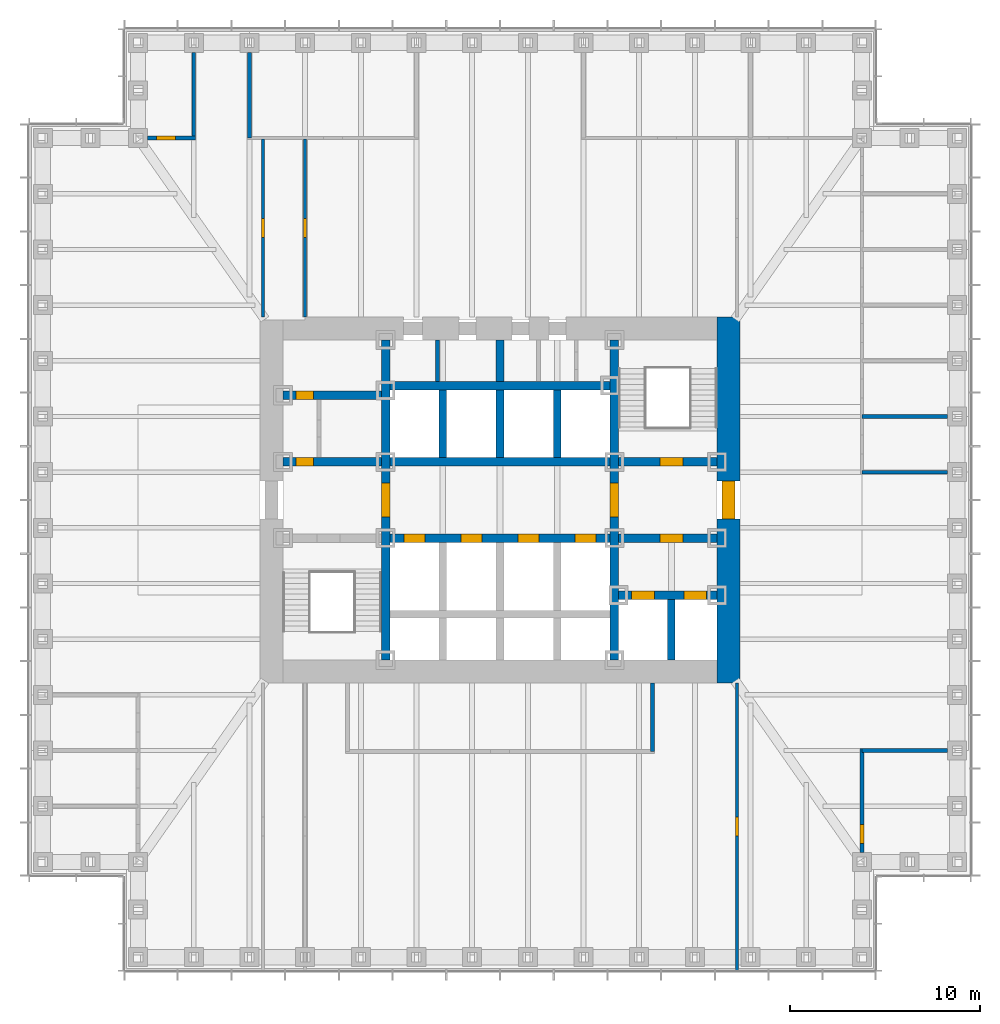
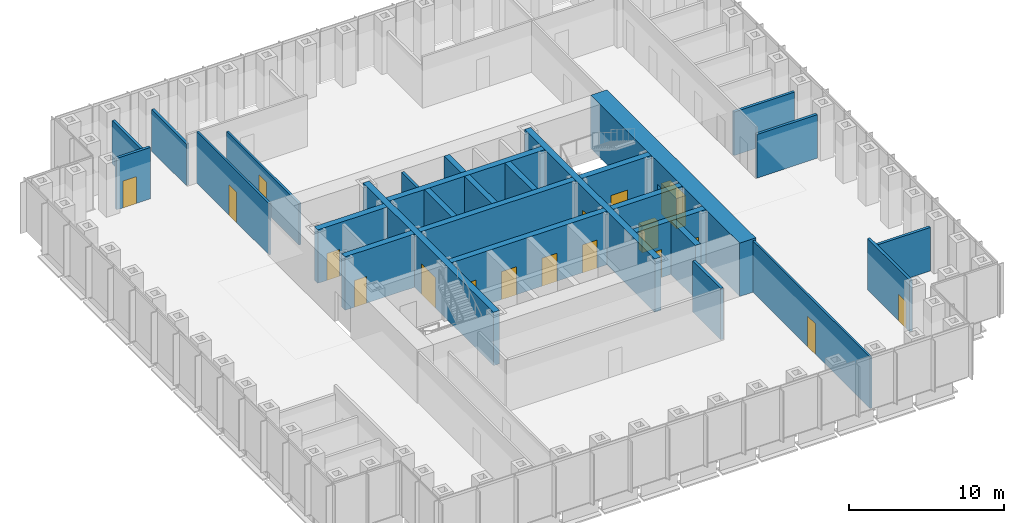
# One storey, part 9 of 16: 28 walls, 18 doors, 18 openings.
"""IFC4 building model written with IfcOpenShell, lengths in metres."""

from ifc_helpers import new_model, si_unit, direction, frame, frame_2d, origin, place, context, subcontext, project, spatial, rectangle, extrude, material, layer, layer_set, type_object, element, fill, save


model = new_model("IFC4")

# Units and contexts
model_context = context("Model", 3, precision=1e-05, world=origin(), true_north=direction((0.0, 1.0)))
body_context = subcontext(model_context, "Body", "Model", "MODEL_VIEW")
ifc_project = project(units=[si_unit("LENGTHUNIT", "METRE"), si_unit("AREAUNIT", "SQUARE_METRE"), si_unit("VOLUMEUNIT", "CUBIC_METRE"), si_unit("PLANEANGLEUNIT", "RADIAN"), si_unit("MASSUNIT", "GRAM", prefix="KILO")], contexts=[model_context])

# Site, building, storey
site_placement = place(None, origin())
site = spatial("IfcSite", under=ifc_project, at=site_placement, CompositionType="ELEMENT")
building_placement = place(site_placement, origin())
building = spatial("IfcBuilding", under=site, at=building_placement, Name="Daluyong Arena Tower", CompositionType="ELEMENT")
storey_placement = place(building_placement, frame((0.0, 0.0, 51.699951171875)))
storey = spatial("IfcBuildingStorey", under=building, at=storey_placement, Name="L10", CompositionType="ELEMENT", Elevation=51.699951171875)

# Wall, opening, door
ifc_material_1 = material(Name="Concrete fc' 45 MPa", Category="concrete")
ifc_layer_1 = layer(ifc_material_1, 0.449951171875)
ifc_layer_set_1 = layer_set([ifc_layer_1], Name="Concrete fc' 45 MPa")
wall_type_1 = type_object("IfcWallType", Name="Core inner wall 450", PredefinedType="SHEAR", material=ifc_layer_set_1)
wall_1_placement = place(storey_placement, frame((50.0, 71.60009765625, 0.0), z_axis=(0.0, 0.0, 1.0), x_axis=(0.0, 1.0, 0.0)))
wall_1 = element("IfcWall", 1, at=wall_1_placement, inside=storey, type_object=wall_type_1, Name="core inner wall at L10", PredefinedType="SHEAR", context=body_context, shape_type="SweptSolid", body=[
    extrude(rectangle(XDim=16.7998046875, YDim=0.449951171875, at=frame_2d((8.39990234375, 0.0))), origin(), (0.0, 0.0, 1.0), 4.199951171875),
])
opening_1_placement = place(wall_1_placement, frame((7.5, 0.0, 0.0)))
opening_1 = element("IfcOpeningElement", 2, at=opening_1_placement, cuts=wall_1, Name="Opening 10013", PredefinedType="OPENING", context=body_context, shape_type="SweptSolid", body=[
    extrude(rectangle(XDim=1.800048828125, YDim=2.39990234375, at=frame_2d((0.89990234375, 1.199951171875))), frame((0.0, 0.23486328125, 0.0), z_axis=(0.0, -1.0, 0.0), x_axis=(1.0, 0.0, 0.0)), (0.0, 0.0, 1.0), 0.469970703125),
])
ifc_material_2 = material(Name="Steel door, fire rated", Category="steel")
door_type_1 = type_object("IfcDoorType", Name="Lift lobby opening door 1800", OperationType="DOUBLE_DOOR_SINGLE_SWING", PredefinedType="DOOR", material=ifc_material_2)
door_1_placement = place(opening_1_placement, origin())
door_1 = element("IfcDoor", 3, at=door_1_placement, inside=storey, type_object=door_type_1, Name="lift lobby door west 10013", OperationType="DOUBLE_DOOR_SINGLE_SWING", OverallHeight=2.39990234375, OverallWidth=1.800048828125, PredefinedType="DOOR", context=body_context, shape_type="SweptSolid", body=[
    extrude(rectangle(XDim=1.800048828125, YDim=2.39990234375, at=frame_2d((0.89990234375, 1.199951171875))), frame((0.0, 0.224609375, 0.0), z_axis=(0.0, -1.0, 0.0), x_axis=(1.0, 0.0, 0.0)), (0.0, 0.0, 1.0), 0.449462890625),
])
fill(opening_1, door_1)

wall_2_placement = place(storey_placement, frame((62.0, 71.60009765625, 0.0), z_axis=(0.0, 0.0, 1.0), x_axis=(0.0, 1.0, 0.0)))
wall_2 = element("IfcWall", 4, at=wall_2_placement, inside=storey, type_object=wall_type_1, Name="core inner wall at L10", PredefinedType="SHEAR", context=body_context, shape_type="SweptSolid", body=[
    extrude(rectangle(XDim=16.7998046875, YDim=0.449951171875, at=frame_2d((8.39990234375, 0.0))), origin(), (0.0, 0.0, 1.0), 4.199951171875),
])
opening_2_placement = place(wall_2_placement, frame((7.5, 0.0, 0.0)))
opening_2 = element("IfcOpeningElement", 5, at=opening_2_placement, cuts=wall_2, Name="Opening 10014", PredefinedType="OPENING", context=body_context, shape_type="SweptSolid", body=[
    extrude(rectangle(XDim=1.800048828125, YDim=2.39990234375, at=frame_2d((0.89990234375, 1.199951171875))), frame((0.0, 0.23486328125, 0.0), z_axis=(0.0, -1.0, 0.0), x_axis=(1.0, 0.0, 0.0)), (0.0, 0.0, 1.0), 0.469970703125),
])
door_2_placement = place(opening_2_placement, origin())
door_2 = element("IfcDoor", 6, at=door_2_placement, inside=storey, type_object=door_type_1, Name="lift lobby door east 10014", OperationType="DOUBLE_DOOR_SINGLE_SWING", OverallHeight=2.39990234375, OverallWidth=1.800048828125, PredefinedType="DOOR", context=body_context, shape_type="SweptSolid", body=[
    extrude(rectangle(XDim=1.800048828125, YDim=2.39990234375, at=frame_2d((0.89990234375, 1.199951171875))), frame((0.0, 0.224609375, 0.0), z_axis=(0.0, -1.0, 0.0), x_axis=(1.0, 0.0, 0.0)), (0.0, 0.0, 1.0), 0.449462890625),
])
fill(opening_2, door_2)

wall_3_placement = place(storey_placement, frame((44.60009765625, 82.0, 0.0), z_axis=(0.0, 0.0, 1.0), x_axis=(1.0, 0.0, 0.0)))
wall_3 = element("IfcWall", 7, at=wall_3_placement, inside=storey, type_object=wall_type_1, Name="core inner wall at L10", PredefinedType="SHEAR", context=body_context, shape_type="SweptSolid", body=[
    extrude(rectangle(XDim=5.1748046875, YDim=0.449951171875, at=frame_2d((2.58740234375, 0.0))), origin(), (0.0, 0.0, 1.0), 4.199951171875),
])
opening_3_placement = place(wall_3_placement, frame((0.699951171875, 0.0, 0.0)))
opening_3 = element("IfcOpeningElement", 8, at=opening_3_placement, cuts=wall_3, Name="Opening 10001", PredefinedType="OPENING", context=body_context, shape_type="SweptSolid", body=[
    extrude(rectangle(XDim=0.89990234375, YDim=2.10009765625, at=frame_2d((0.449951171875, 1.050048828125))), frame((0.0, 0.23486328125, 0.0), z_axis=(0.0, -1.0, 0.0), x_axis=(1.0, 0.0, 0.0)), (0.0, 0.0, 1.0), 0.469970703125),
])
ifc_material_3 = material(Name="Steel door, fire rated", Category="steel")
door_type_2 = type_object("IfcDoorType", Name="Core room door 900", OperationType="SINGLE_SWING_LEFT", PredefinedType="DOOR", material=ifc_material_3)
door_3_placement = place(opening_3_placement, origin())
door_3 = element("IfcDoor", 9, at=door_3_placement, inside=storey, type_object=door_type_2, Name="toilet lobby door 10001", OperationType="SINGLE_SWING_LEFT", OverallHeight=2.10009765625, OverallWidth=0.89990234375, PredefinedType="DOOR", context=body_context, shape_type="SweptSolid", body=[
    extrude(rectangle(XDim=0.89990234375, YDim=2.10009765625, at=frame_2d((0.449951171875, 1.050048828125))), frame((0.0, 0.224609375, 0.0), z_axis=(0.0, -1.0, 0.0), x_axis=(1.0, 0.0, 0.0)), (0.0, 0.0, 1.0), 0.449462890625),
])
fill(opening_3, door_3)

wall_4_placement = place(storey_placement, frame((44.60009765625, 85.5, 0.0), z_axis=(0.0, 0.0, 1.0), x_axis=(1.0, 0.0, 0.0)))
wall_4 = element("IfcWall", 10, at=wall_4_placement, inside=storey, type_object=wall_type_1, Name="core inner wall at L10", PredefinedType="SHEAR", context=body_context, shape_type="SweptSolid", body=[
    extrude(rectangle(XDim=5.1748046875, YDim=0.449951171875, at=frame_2d((2.58740234375, 0.0))), origin(), (0.0, 0.0, 1.0), 4.199951171875),
])
opening_4_placement = place(wall_4_placement, frame((0.699951171875, 0.0, 0.0)))
opening_4 = element("IfcOpeningElement", 11, at=opening_4_placement, cuts=wall_4, Name="Opening 10003", PredefinedType="OPENING", context=body_context, shape_type="SweptSolid", body=[
    extrude(rectangle(XDim=0.89990234375, YDim=2.10009765625, at=frame_2d((0.449951171875, 1.050048828125))), frame((0.0, 0.23486328125, 0.0), z_axis=(0.0, -1.0, 0.0), x_axis=(1.0, 0.0, 0.0)), (0.0, 0.0, 1.0), 0.469970703125),
])
ifc_material_4 = material(Name="Timber door", Category="wood")
door_type_3 = type_object("IfcDoorType", Name="Toilet door 900", OperationType="SINGLE_SWING_RIGHT", PredefinedType="DOOR", material=ifc_material_4)
door_4_placement = place(opening_4_placement, origin())
door_4 = element("IfcDoor", 12, at=door_4_placement, inside=storey, type_object=door_type_3, Name="female toilet door 10003", OperationType="SINGLE_SWING_RIGHT", OverallHeight=2.10009765625, OverallWidth=0.89990234375, PredefinedType="DOOR", context=body_context, shape_type="SweptSolid", body=[
    extrude(rectangle(XDim=0.89990234375, YDim=2.10009765625, at=frame_2d((0.449951171875, 1.050048828125))), frame((0.0, 0.224609375, 0.0), z_axis=(0.0, -1.0, 0.0), x_axis=(1.0, 0.0, 0.0)), (0.0, 0.0, 1.0), 0.449462890625),
])
fill(opening_4, door_4)

# Wall, openings, doors
wall_5_placement = place(storey_placement, frame((62.22509765625, 75.0, 0.0), z_axis=(0.0, 0.0, 1.0), x_axis=(1.0, 0.0, 0.0)))
wall_5 = element("IfcWall", 13, at=wall_5_placement, inside=storey, type_object=wall_type_1, Name="core inner wall at L10", PredefinedType="SHEAR", context=body_context, shape_type="SweptSolid", body=[
    extrude(rectangle(XDim=5.1748046875, YDim=0.449951171875, at=frame_2d((2.58740234375, 0.0))), origin(), (0.0, 0.0, 1.0), 4.199951171875),
])
opening_5_placement = place(wall_5_placement, frame((0.675048828125, 0.0, 0.0)))
opening_5 = element("IfcOpeningElement", 14, at=opening_5_placement, cuts=wall_5, Name="Opening 10020", PredefinedType="OPENING", context=body_context, shape_type="SweptSolid", body=[
    extrude(rectangle(XDim=1.199951171875, YDim=2.199951171875, at=frame_2d((0.60009765625, 1.10009765625))), frame((0.0, 0.23486328125, 0.0), z_axis=(0.0, -1.0, 0.0), x_axis=(1.0, 0.0, 0.0)), (0.0, 0.0, 1.0), 0.469970703125),
])
opening_6_placement = place(wall_5_placement, frame((3.425048828125, 0.0, 0.0)))
opening_6 = element("IfcOpeningElement", 15, at=opening_6_placement, cuts=wall_5, Name="Opening 10021", PredefinedType="OPENING", context=body_context, shape_type="SweptSolid", body=[
    extrude(rectangle(XDim=1.199951171875, YDim=2.199951171875, at=frame_2d((0.60009765625, 1.10009765625))), frame((0.0, 0.23486328125, 0.0), z_axis=(0.0, -1.0, 0.0), x_axis=(1.0, 0.0, 0.0)), (0.0, 0.0, 1.0), 0.469970703125),
])
ifc_material_5 = material(Name="Steel door, fire rated", Category="steel")
door_type_4 = type_object("IfcDoorType", Name="Firefighting lift landing door 1200", OperationType="SLIDING_TO_LEFT", PredefinedType="DOOR", material=ifc_material_5)
door_5_placement = place(opening_5_placement, origin())
door_5 = element("IfcDoor", 16, at=door_5_placement, inside=storey, type_object=door_type_4, Name="firefighting lift landing door F1 10020", OperationType="SLIDING_TO_LEFT", OverallHeight=2.199951171875, OverallWidth=1.199951171875, PredefinedType="DOOR", context=body_context, shape_type="SweptSolid", body=[
    extrude(rectangle(XDim=1.199951171875, YDim=2.199951171875, at=frame_2d((0.60009765625, 1.10009765625))), frame((0.0, 0.224609375, 0.0), z_axis=(0.0, -1.0, 0.0), x_axis=(1.0, 0.0, 0.0)), (0.0, 0.0, 1.0), 0.449462890625),
])
fill(opening_5, door_5)
door_6_placement = place(opening_6_placement, origin())
door_6 = element("IfcDoor", 17, at=door_6_placement, inside=storey, type_object=door_type_4, Name="firefighting lift landing door F2 10021", OperationType="SLIDING_TO_LEFT", OverallHeight=2.199951171875, OverallWidth=1.199951171875, PredefinedType="DOOR", context=body_context, shape_type="SweptSolid", body=[
    extrude(rectangle(XDim=1.199951171875, YDim=2.199951171875, at=frame_2d((0.60009765625, 1.10009765625))), frame((0.0, 0.224609375, 0.0), z_axis=(0.0, -1.0, 0.0), x_axis=(1.0, 0.0, 0.0)), (0.0, 0.0, 1.0), 0.449462890625),
])
fill(opening_6, door_6)

# Wall, opening, door
wall_6_placement = place(storey_placement, frame((62.22509765625, 78.0, 0.0), z_axis=(0.0, 0.0, 1.0), x_axis=(1.0, 0.0, 0.0)))
wall_6 = element("IfcWall", 18, at=wall_6_placement, inside=storey, type_object=wall_type_1, Name="core inner wall at L10", PredefinedType="SHEAR", context=body_context, shape_type="SweptSolid", body=[
    extrude(rectangle(XDim=5.1748046875, YDim=0.449951171875, at=frame_2d((2.58740234375, 0.0))), origin(), (0.0, 0.0, 1.0), 4.199951171875),
])
opening_7_placement = place(wall_6_placement, frame((2.175048828125, 0.0, 0.0)))
opening_7 = element("IfcOpeningElement", 19, at=opening_7_placement, cuts=wall_6, Name="Opening 10015", PredefinedType="OPENING", context=body_context, shape_type="SweptSolid", body=[
    extrude(rectangle(XDim=1.199951171875, YDim=2.10009765625, at=frame_2d((0.60009765625, 1.050048828125))), frame((0.0, 0.23486328125, 0.0), z_axis=(0.0, -1.0, 0.0), x_axis=(1.0, 0.0, 0.0)), (0.0, 0.0, 1.0), 0.469970703125),
])
ifc_material_6 = material(Name="Steel door, fire rated", Category="steel")
door_type_5 = type_object("IfcDoorType", Name="Firefighting lobby door 1200", OperationType="SINGLE_SWING_RIGHT", PredefinedType="DOOR", material=ifc_material_6)
door_7_placement = place(opening_7_placement, origin())
door_7 = element("IfcDoor", 20, at=door_7_placement, inside=storey, type_object=door_type_5, Name="firefighting lobby door 10015", OperationType="SINGLE_SWING_RIGHT", OverallHeight=2.10009765625, OverallWidth=1.199951171875, PredefinedType="DOOR", context=body_context, shape_type="SweptSolid", body=[
    extrude(rectangle(XDim=1.199951171875, YDim=2.10009765625, at=frame_2d((0.60009765625, 1.050048828125))), frame((0.0, 0.224609375, 0.0), z_axis=(0.0, -1.0, 0.0), x_axis=(1.0, 0.0, 0.0)), (0.0, 0.0, 1.0), 0.449462890625),
])
fill(opening_7, door_7)

wall_7_placement = place(storey_placement, frame((62.22509765625, 82.0, 0.0), z_axis=(0.0, 0.0, 1.0), x_axis=(1.0, 0.0, 0.0)))
wall_7 = element("IfcWall", 21, at=wall_7_placement, inside=storey, type_object=wall_type_1, Name="core inner wall at L10", PredefinedType="SHEAR", context=body_context, shape_type="SweptSolid", body=[
    extrude(rectangle(XDim=5.1748046875, YDim=0.449951171875, at=frame_2d((2.58740234375, 0.0))), origin(), (0.0, 0.0, 1.0), 4.199951171875),
])
opening_8_placement = place(wall_7_placement, frame((2.175048828125, 0.0, 0.0)))
opening_8 = element("IfcOpeningElement", 22, at=opening_8_placement, cuts=wall_7, Name="Opening 10010", PredefinedType="OPENING", context=body_context, shape_type="SweptSolid", body=[
    extrude(rectangle(XDim=1.199951171875, YDim=2.10009765625, at=frame_2d((0.60009765625, 1.050048828125))), frame((0.0, 0.23486328125, 0.0), z_axis=(0.0, -1.0, 0.0), x_axis=(1.0, 0.0, 0.0)), (0.0, 0.0, 1.0), 0.469970703125),
])
ifc_material_7 = material(Name="Steel door, fire rated", Category="steel")
door_type_6 = type_object("IfcDoorType", Name="Stair door 1200", OperationType="SINGLE_SWING_LEFT", PredefinedType="DOOR", material=ifc_material_7)
door_8_placement = place(opening_8_placement, origin())
door_8 = element("IfcDoor", 23, at=door_8_placement, inside=storey, type_object=door_type_6, Name="stair B door 10010", OperationType="SINGLE_SWING_LEFT", OverallHeight=2.10009765625, OverallWidth=1.199951171875, PredefinedType="DOOR", context=body_context, shape_type="SweptSolid", body=[
    extrude(rectangle(XDim=1.199951171875, YDim=2.10009765625, at=frame_2d((0.60009765625, 1.050048828125))), frame((0.0, 0.224609375, 0.0), z_axis=(0.0, -1.0, 0.0), x_axis=(1.0, 0.0, 0.0)), (0.0, 0.0, 1.0), 0.449462890625),
])
fill(opening_8, door_8)

# Wall, openings, doors
wall_8_placement = place(storey_placement, frame((50.22509765625, 78.0, 0.0), z_axis=(0.0, 0.0, 1.0), x_axis=(1.0, 0.0, 0.0)))
wall_8 = element("IfcWall", 24, at=wall_8_placement, inside=storey, type_object=wall_type_1, Name="core inner wall at L10", PredefinedType="SHEAR", context=body_context, shape_type="SweptSolid", body=[
    extrude(rectangle(XDim=11.5498046875, YDim=0.449951171875, at=frame_2d((5.77490234375, 0.0))), origin(), (0.0, 0.0, 1.0), 4.199951171875),
])
opening_9_placement = place(wall_8_placement, frame((0.72509765625, 0.0, 0.0)))
opening_9 = element("IfcOpeningElement", 25, at=opening_9_placement, cuts=wall_8, Name="Opening 10016", PredefinedType="OPENING", context=body_context, shape_type="SweptSolid", body=[
    extrude(rectangle(XDim=1.10009765625, YDim=2.199951171875, at=frame_2d((0.550048828125, 1.10009765625))), frame((0.0, 0.23486328125, 0.0), z_axis=(0.0, -1.0, 0.0), x_axis=(1.0, 0.0, 0.0)), (0.0, 0.0, 1.0), 0.469970703125),
])
opening_10_placement = place(wall_8_placement, frame((3.72509765625, 0.0, 0.0)))
opening_10 = element("IfcOpeningElement", 26, at=opening_10_placement, cuts=wall_8, Name="Opening 10017", PredefinedType="OPENING", context=body_context, shape_type="SweptSolid", body=[
    extrude(rectangle(XDim=1.10009765625, YDim=2.199951171875, at=frame_2d((0.550048828125, 1.10009765625))), frame((0.0, 0.23486328125, 0.0), z_axis=(0.0, -1.0, 0.0), x_axis=(1.0, 0.0, 0.0)), (0.0, 0.0, 1.0), 0.469970703125),
])
opening_11_placement = place(wall_8_placement, frame((6.72509765625, 0.0, 0.0)))
opening_11 = element("IfcOpeningElement", 27, at=opening_11_placement, cuts=wall_8, Name="Opening 10018", PredefinedType="OPENING", context=body_context, shape_type="SweptSolid", body=[
    extrude(rectangle(XDim=1.10009765625, YDim=2.199951171875, at=frame_2d((0.550048828125, 1.10009765625))), frame((0.0, 0.23486328125, 0.0), z_axis=(0.0, -1.0, 0.0), x_axis=(1.0, 0.0, 0.0)), (0.0, 0.0, 1.0), 0.469970703125),
])
opening_12_placement = place(wall_8_placement, frame((9.72509765625, 0.0, 0.0)))
opening_12 = element("IfcOpeningElement", 28, at=opening_12_placement, cuts=wall_8, Name="Opening 10019", PredefinedType="OPENING", context=body_context, shape_type="SweptSolid", body=[
    extrude(rectangle(XDim=1.10009765625, YDim=2.199951171875, at=frame_2d((0.550048828125, 1.10009765625))), frame((0.0, 0.23486328125, 0.0), z_axis=(0.0, -1.0, 0.0), x_axis=(1.0, 0.0, 0.0)), (0.0, 0.0, 1.0), 0.469970703125),
])
ifc_material_8 = material(Name="Steel door, fire rated", Category="steel")
door_type_7 = type_object("IfcDoorType", Name="Lift landing door 1100", OperationType="SLIDING_TO_LEFT", PredefinedType="DOOR", material=ifc_material_8)
door_9_placement = place(opening_9_placement, origin())
door_9 = element("IfcDoor", 29, at=door_9_placement, inside=storey, type_object=door_type_7, Name="lift landing door A1 10016", OperationType="SLIDING_TO_LEFT", OverallHeight=2.199951171875, OverallWidth=1.10009765625, PredefinedType="DOOR", context=body_context, shape_type="SweptSolid", body=[
    extrude(rectangle(XDim=1.10009765625, YDim=2.199951171875, at=frame_2d((0.550048828125, 1.10009765625))), frame((0.0, 0.224609375, 0.0), z_axis=(0.0, -1.0, 0.0), x_axis=(1.0, 0.0, 0.0)), (0.0, 0.0, 1.0), 0.449462890625),
])
fill(opening_9, door_9)
door_10_placement = place(opening_10_placement, origin())
door_10 = element("IfcDoor", 30, at=door_10_placement, inside=storey, type_object=door_type_7, Name="lift landing door A2 10017", OperationType="SLIDING_TO_LEFT", OverallHeight=2.199951171875, OverallWidth=1.10009765625, PredefinedType="DOOR", context=body_context, shape_type="SweptSolid", body=[
    extrude(rectangle(XDim=1.10009765625, YDim=2.199951171875, at=frame_2d((0.550048828125, 1.10009765625))), frame((0.0, 0.224609375, 0.0), z_axis=(0.0, -1.0, 0.0), x_axis=(1.0, 0.0, 0.0)), (0.0, 0.0, 1.0), 0.449462890625),
])
fill(opening_10, door_10)
door_11_placement = place(opening_11_placement, origin())
door_11 = element("IfcDoor", 31, at=door_11_placement, inside=storey, type_object=door_type_7, Name="lift landing door A3 10018", OperationType="SLIDING_TO_LEFT", OverallHeight=2.199951171875, OverallWidth=1.10009765625, PredefinedType="DOOR", context=body_context, shape_type="SweptSolid", body=[
    extrude(rectangle(XDim=1.10009765625, YDim=2.199951171875, at=frame_2d((0.550048828125, 1.10009765625))), frame((0.0, 0.224609375, 0.0), z_axis=(0.0, -1.0, 0.0), x_axis=(1.0, 0.0, 0.0)), (0.0, 0.0, 1.0), 0.449462890625),
])
fill(opening_11, door_11)
door_12_placement = place(opening_12_placement, origin())
door_12 = element("IfcDoor", 32, at=door_12_placement, inside=storey, type_object=door_type_7, Name="lift landing door A4 10019", OperationType="SLIDING_TO_LEFT", OverallHeight=2.199951171875, OverallWidth=1.10009765625, PredefinedType="DOOR", context=body_context, shape_type="SweptSolid", body=[
    extrude(rectangle(XDim=1.10009765625, YDim=2.199951171875, at=frame_2d((0.550048828125, 1.10009765625))), frame((0.0, 0.224609375, 0.0), z_axis=(0.0, -1.0, 0.0), x_axis=(1.0, 0.0, 0.0)), (0.0, 0.0, 1.0), 0.449462890625),
])
fill(opening_12, door_12)

# Walls
for number, where, z_axis, x_axis, name in (
    (33, (50.22509765625, 82.0, 0.0), (0.0, 0.0, 1.0), (1.0, 0.0, 0.0), "core inner wall at L10"),
    (34, (50.22509765625, 86.0, 0.0), (0.0, 0.0, 1.0), (1.0, 0.0, 0.0), "core inner wall at L10"),
):
    element("IfcWall", number, at=place(storey_placement, frame(where, z_axis=z_axis, x_axis=x_axis)), inside=storey, type_object=wall_type_1, Name=name, PredefinedType="SHEAR", context=body_context, shape_type="SweptSolid", body=[
        extrude(rectangle(XDim=11.5498046875, YDim=0.449951171875, at=frame_2d((5.77490234375, 0.0))), origin(), (0.0, 0.0, 1.0), 4.199951171875),
    ])

# Wall, opening, door
ifc_material_9 = material(Name="Concrete fc' 60 MPa", Category="concrete")
ifc_layer_2 = layer(ifc_material_9, 1.199951171875)
ifc_layer_set_2 = layer_set([ifc_layer_2], Name="Concrete fc' 60 MPa")
wall_type_2 = type_object("IfcWallType", Name="Core wall 1200", PredefinedType="SHEAR", material=ifc_layer_set_2)
wall_9_placement = place(storey_placement, frame((68.0, 70.39990234375, 0.0), z_axis=(0.0, 0.0, 1.0), x_axis=(0.0, 1.0, 0.0)))
wall_9 = element("IfcWall", 35, at=wall_9_placement, inside=storey, type_object=wall_type_2, Name="core wall at L10", PredefinedType="SHEAR", context=body_context, shape_type="SweptSolid", body=[
    extrude(rectangle(XDim=19.2001953125, YDim=1.199951171875, at=frame_2d((9.60009765625, 0.0))), origin(), (0.0, 0.0, 1.0), 4.199951171875),
])
opening_13_placement = place(wall_9_placement, frame((8.60009765625, 0.0, 0.0)))
opening_13 = element("IfcOpeningElement", 36, at=opening_13_placement, cuts=wall_9, Name="Opening 10012", PredefinedType="OPENING", context=body_context, shape_type="SweptSolid", body=[
    extrude(rectangle(XDim=2.0, YDim=2.39990234375, at=frame_2d((1.0, 1.199951171875))), frame((0.0, 0.60986328125, 0.0), z_axis=(0.0, -1.0, 0.0), x_axis=(1.0, 0.0, 0.0)), (0.0, 0.0, 1.0), 1.219970703125),
])
ifc_material_10 = material(Name="Steel door, fire rated", Category="steel")
door_type_8 = type_object("IfcDoorType", Name="Core lobby double door 2000", OperationType="DOUBLE_DOOR_SINGLE_SWING", PredefinedType="DOOR", material=ifc_material_10)
door_13_placement = place(opening_13_placement, origin())
door_13 = element("IfcDoor", 37, at=door_13_placement, inside=storey, type_object=door_type_8, Name="core lobby door east 10012", OperationType="DOUBLE_DOOR_SINGLE_SWING", OverallHeight=2.39990234375, OverallWidth=2.0, PredefinedType="DOOR", context=body_context, shape_type="SweptSolid", body=[
    extrude(rectangle(XDim=2.0, YDim=2.39990234375, at=frame_2d((1.0, 1.199951171875))), frame((0.0, 0.35009765625, 0.0), z_axis=(0.0, -1.0, 0.0), x_axis=(1.0, 0.0, 0.0)), (0.0, 0.0, 1.0), 0.699951171875),
])
fill(opening_13, door_13)

# Wall
ifc_material_11 = material(Name="Concrete block partition, fire rated", Category="concrete")
ifc_layer_3 = layer(ifc_material_11, 0.199951171875)
ifc_layer_set_3 = layer_set([ifc_layer_3], Name="Concrete block partition, fire rated")
wall_type_3 = type_object("IfcWallType", Name="Fire-rated partition 200", PredefinedType="PARTITIONING", material=ifc_layer_set_3)
wall_10_placement = place(storey_placement, frame((52.72509765625, 86.22509765625, 0.0), z_axis=(0.0, 0.0, 1.0), x_axis=(0.0, 1.0, 0.0)))
element("IfcWall", 38, at=wall_10_placement, inside=storey, type_object=wall_type_3, Name="core room partition at L10", PredefinedType="PARTITIONING", context=body_context, shape_type="SweptSolid", body=[
    extrude(rectangle(XDim=2.1748046875, YDim=0.199951171875, at=frame_2d((1.08740234375, 0.0))), origin(), (0.0, 0.0, 1.0), 4.0400390625),
])

# Wall, opening, door
ifc_material_12 = material(Name="Glazed aluminium partition", Category="aluminium")
ifc_layer_4 = layer(ifc_material_12, 0.14990234375)
ifc_layer_set_4 = layer_set([ifc_layer_4], Name="Glazed aluminium partition")
wall_type_4 = type_object("IfcWallType", Name="Glazed partition 150", PredefinedType="PARTITIONING", material=ifc_layer_set_4)
wall_11_placement = place(storey_placement, frame((43.550048828125, 89.60009765625, 0.0), z_axis=(0.0, 0.0, 1.0), x_axis=(0.0, 1.0, 0.0)))
wall_11 = element("IfcWall", 39, at=wall_11_placement, inside=storey, type_object=wall_type_4, Name="glazed partition at L10", PredefinedType="PARTITIONING", context=body_context, shape_type="SweptSolid", body=[
    extrude(rectangle(XDim=9.349853515625, YDim=0.14990234375, at=frame_2d((4.6748046875, 0.0))), origin(), (0.0, 0.0, 1.0), 4.0400390625),
])
opening_14_placement = place(wall_11_placement, frame((4.175048828125, 0.0, 0.0)))
opening_14 = element("IfcOpeningElement", 40, at=opening_14_placement, cuts=wall_11, Name="Opening 10039", PredefinedType="OPENING", context=body_context, shape_type="SweptSolid", body=[
    extrude(rectangle(XDim=1.0, YDim=2.39990234375, at=frame_2d((0.5, 1.199951171875))), frame((0.0, 0.0849609375, 0.0), z_axis=(0.0, -1.0, 0.0), x_axis=(1.0, 0.0, 0.0)), (0.0, 0.0, 1.0), 0.169921875),
])
ifc_material_13 = material(Name="Glazed aluminium door", Category="aluminium")
door_type_9 = type_object("IfcDoorType", Name="Meeting room glazed door 1000", OperationType="SINGLE_SWING_RIGHT", PredefinedType="DOOR", material=ifc_material_13)
door_14_placement = place(opening_14_placement, origin())
door_14 = element("IfcDoor", 41, at=door_14_placement, inside=storey, type_object=door_type_9, Name="team area screen door 10039", OperationType="SINGLE_SWING_RIGHT", OverallHeight=2.39990234375, OverallWidth=1.0, PredefinedType="DOOR", context=body_context, shape_type="SweptSolid", body=[
    extrude(rectangle(XDim=1.0, YDim=2.39990234375, at=frame_2d((0.5, 1.199951171875))), frame((0.0, 0.07470703125, 0.0), z_axis=(0.0, -1.0, 0.0), x_axis=(1.0, 0.0, 0.0)), (0.0, 0.0, 1.0), 0.1494140625),
])
fill(opening_14, door_14)

wall_12_placement = place(storey_placement, frame((45.769287109375, 89.60009765625, 0.0), z_axis=(0.0, 0.0, 1.0), x_axis=(0.0, 1.0, 0.0)))
wall_12 = element("IfcWall", 42, at=wall_12_placement, inside=storey, type_object=wall_type_4, Name="glazed partition at L10", PredefinedType="PARTITIONING", context=body_context, shape_type="SweptSolid", body=[
    extrude(rectangle(XDim=9.349853515625, YDim=0.14990234375, at=frame_2d((4.6748046875, 0.0))), origin(), (0.0, 0.0, 1.0), 3.278076171875),
])
opening_15_placement = place(wall_12_placement, frame((4.175048828125, 0.0, 0.0)))
opening_15 = element("IfcOpeningElement", 43, at=opening_15_placement, cuts=wall_12, Name="Opening 10042", PredefinedType="OPENING", context=body_context, shape_type="SweptSolid", body=[
    extrude(rectangle(XDim=1.0, YDim=2.39990234375, at=frame_2d((0.5, 1.199951171875))), frame((0.0, 0.0849609375, 0.0), z_axis=(0.0, -1.0, 0.0), x_axis=(1.0, 0.0, 0.0)), (0.0, 0.0, 1.0), 0.169921875),
])
door_15_placement = place(opening_15_placement, origin())
door_15 = element("IfcDoor", 44, at=door_15_placement, inside=storey, type_object=door_type_9, Name="team area screen door 10042", OperationType="SINGLE_SWING_RIGHT", OverallHeight=2.39990234375, OverallWidth=1.0, PredefinedType="DOOR", context=body_context, shape_type="SweptSolid", body=[
    extrude(rectangle(XDim=1.0, YDim=2.39990234375, at=frame_2d((0.5, 1.199951171875))), frame((0.0, 0.07470703125, 0.0), z_axis=(0.0, -1.0, 0.0), x_axis=(1.0, 0.0, 0.0)), (0.0, 0.0, 1.0), 0.1494140625),
])
fill(opening_15, door_15)

wall_13_placement = place(storey_placement, frame((68.449951171875, 55.31005859375, 0.0), z_axis=(0.0, 0.0, 1.0), x_axis=(0.0, 1.0, 0.0)))
wall_13 = element("IfcWall", 45, at=wall_13_placement, inside=storey, type_object=wall_type_4, Name="glazed partition at L10", PredefinedType="PARTITIONING", context=body_context, shape_type="SweptSolid", body=[
    extrude(rectangle(XDim=15.08984375, YDim=0.14990234375, at=frame_2d((7.544921875, 0.0))), origin(), (0.0, 0.0, 1.0), 4.0400390625),
])
opening_16_placement = place(wall_13_placement, frame((7.044921875, 0.0, 0.0)))
opening_16 = element("IfcOpeningElement", 46, at=opening_16_placement, cuts=wall_13, Name="Opening 10038", PredefinedType="OPENING", context=body_context, shape_type="SweptSolid", body=[
    extrude(rectangle(XDim=1.0, YDim=2.39990234375, at=frame_2d((0.5, 1.199951171875))), frame((0.0, 0.0849609375, 0.0), z_axis=(0.0, -1.0, 0.0), x_axis=(1.0, 0.0, 0.0)), (0.0, 0.0, 1.0), 0.169921875),
])
door_16_placement = place(opening_16_placement, origin())
door_16 = element("IfcDoor", 47, at=door_16_placement, inside=storey, type_object=door_type_9, Name="team area screen door 10038", OperationType="SINGLE_SWING_RIGHT", OverallHeight=2.39990234375, OverallWidth=1.0, PredefinedType="DOOR", context=body_context, shape_type="SweptSolid", body=[
    extrude(rectangle(XDim=1.0, YDim=2.39990234375, at=frame_2d((0.5, 1.199951171875))), frame((0.0, 0.07470703125, 0.0), z_axis=(0.0, -1.0, 0.0), x_axis=(1.0, 0.0, 0.0)), (0.0, 0.0, 1.0), 0.1494140625),
])
fill(opening_16, door_16)

# Walls
ifc_material_14 = material(Name="Concrete fc' 45 MPa", Category="concrete")
ifc_layer_5 = layer(ifc_material_14, 0.39990234375)
ifc_layer_set_5 = layer_set([ifc_layer_5], Name="Concrete fc' 45 MPa")
wall_type_5 = type_object("IfcWallType", Name="Lift shaft wall 400", PredefinedType="SHEAR", material=ifc_layer_set_5)
for number, where, z_axis, x_axis, name in (
    (48, (53.0, 82.22509765625, 0.0), (0.0, 0.0, 1.0), (0.0, 1.0, 0.0), "lift shaft wall at L10"),
    (49, (56.0, 82.22509765625, 0.0), (0.0, 0.0, 1.0), (0.0, 1.0, 0.0), "lift shaft wall at L10"),
    (50, (59.0, 82.22509765625, 0.0), (0.0, 0.0, 1.0), (0.0, 1.0, 0.0), "lift shaft wall at L10"),
):
    element("IfcWall", number, at=place(storey_placement, frame(where, z_axis=z_axis, x_axis=x_axis)), inside=storey, type_object=wall_type_5, Name=name, PredefinedType="SHEAR", context=body_context, shape_type="SweptSolid", body=[
        extrude(rectangle(XDim=3.5498046875, YDim=0.39990234375, at=frame_2d((1.77490234375, 0.0))), origin(), (0.0, 0.0, 1.0), 4.199951171875),
    ])
wall_14_placement = place(storey_placement, frame((65.0, 71.60009765625, 0.0), z_axis=(0.0, 0.0, 1.0), x_axis=(0.0, 1.0, 0.0)))
element("IfcWall", 51, at=wall_14_placement, inside=storey, type_object=wall_type_5, Name="lift shaft wall at L10", PredefinedType="SHEAR", context=body_context, shape_type="SweptSolid", body=[
    extrude(rectangle(XDim=3.1748046875, YDim=0.39990234375, at=frame_2d((1.58740234375, 0.0))), origin(), (0.0, 0.0, 1.0), 4.199951171875),
])
wall_15_placement = place(storey_placement, frame((56.0, 86.22509765625, 0.0), z_axis=(0.0, 0.0, 1.0), x_axis=(0.0, 1.0, 0.0)))
element("IfcWall", 52, at=wall_15_placement, inside=storey, type_object=wall_type_5, Name="lift shaft wall at L10", PredefinedType="SHEAR", context=body_context, shape_type="SweptSolid", body=[
    extrude(rectangle(XDim=2.1748046875, YDim=0.39990234375, at=frame_2d((1.08740234375, 0.0))), origin(), (0.0, 0.0, 1.0), 4.199951171875),
])
ifc_material_15 = material(Name="Concrete block partition", Category="concrete")
ifc_layer_6 = layer(ifc_material_15, 0.199951171875)
ifc_layer_set_6 = layer_set([ifc_layer_6], Name="Concrete block partition")
wall_type_6 = type_object("IfcWallType", Name="Partition 200", PredefinedType="PARTITIONING", material=ifc_layer_set_6)
for number, where, z_axis, x_axis, name in (
    (53, (75.0, 66.84619140625, 0.0), (0.0, 0.0, 1.0), (1.0, 0.0, 0.0), "partition at L10"),
    (54, (75.0, 81.46142578125, 0.0), (0.0, 0.0, 1.0), (1.0, 0.0, 0.0), "partition at L10"),
    (55, (75.0, 84.384521484375, 0.0), (0.0, 0.0, 1.0), (1.0, 0.0, 0.0), "partition at L10"),
    (56, (39.923095703125, 99.0, 0.0), (0.0, 0.0, 1.0), (0.0, 1.0, 0.0), "partition at L10"),
):
    element("IfcWall", number, at=place(storey_placement, frame(where, z_axis=z_axis, x_axis=x_axis)), inside=storey, type_object=wall_type_6, Name=name, PredefinedType="PARTITIONING", context=body_context, shape_type="SweptSolid", body=[
        extrude(rectangle(XDim=4.5, YDim=0.199951171875, at=frame_2d((2.25, 0.0))), origin(), (0.0, 0.0, 1.0), 3.427978515625),
    ])
wall_16_placement = place(storey_placement, frame((42.84619140625, 99.0, 0.0), z_axis=(0.0, 0.0, 1.0), x_axis=(0.0, 1.0, 0.0)))
element("IfcWall", 57, at=wall_16_placement, inside=storey, type_object=wall_type_6, Name="partition at L10", PredefinedType="PARTITIONING", context=body_context, shape_type="SweptSolid", body=[
    extrude(rectangle(XDim=4.5, YDim=0.199951171875, at=frame_2d((2.25, 0.0))), origin(), (0.0, 0.0, 1.0), 3.278076171875),
])
wall_17_placement = place(storey_placement, frame((64.0, 66.800048828125, 0.0), z_axis=(0.0, 0.0, 1.0), x_axis=(0.0, 1.0, 0.0)))
element("IfcWall", 58, at=wall_17_placement, inside=storey, type_object=wall_type_6, Name="partition at L10", PredefinedType="PARTITIONING", context=body_context, shape_type="SweptSolid", body=[
    extrude(rectangle(XDim=3.599853515625, YDim=0.199951171875, at=frame_2d((1.7998046875, 0.0))), origin(), (0.0, 0.0, 1.0), 4.0400390625),
])

# Wall, opening, door
wall_18_placement = place(storey_placement, frame((37.5, 99.0, 0.0), z_axis=(0.0, 0.0, 1.0), x_axis=(1.0, 0.0, 0.0)))
wall_18 = element("IfcWall", 59, at=wall_18_placement, inside=storey, type_object=wall_type_6, Name="partition at L10", PredefinedType="PARTITIONING", context=body_context, shape_type="SweptSolid", body=[
    extrude(rectangle(XDim=2.523193359375, YDim=0.199951171875, at=frame_2d((1.26171875, 0.0))), origin(), (0.0, 0.0, 1.0), 4.0400390625),
])
opening_17_placement = place(wall_18_placement, frame((0.46142578125, 0.0, 0.0)))
opening_17 = element("IfcOpeningElement", 60, at=opening_17_placement, cuts=wall_18, Name="Opening 10029", PredefinedType="OPENING", context=body_context, shape_type="SweptSolid", body=[
    extrude(rectangle(XDim=1.0, YDim=2.10009765625, at=frame_2d((0.5, 1.050048828125))), frame((0.0, 0.10986328125, 0.0), z_axis=(0.0, -1.0, 0.0), x_axis=(1.0, 0.0, 0.0)), (0.0, 0.0, 1.0), 0.219970703125),
])
ifc_material_16 = material(Name="Timber door", Category="wood")
door_type_10 = type_object("IfcDoorType", Name="Room door 1000", OperationType="SINGLE_SWING_LEFT", PredefinedType="DOOR", material=ifc_material_16)
door_17_placement = place(opening_17_placement, origin())
door_17 = element("IfcDoor", 61, at=door_17_placement, inside=storey, type_object=door_type_10, Name="wellness room door 10029", OperationType="SINGLE_SWING_LEFT", OverallHeight=2.10009765625, OverallWidth=1.0, PredefinedType="DOOR", context=body_context, shape_type="SweptSolid", body=[
    extrude(rectangle(XDim=1.0, YDim=2.10009765625, at=frame_2d((0.5, 1.050048828125))), frame((0.0, 0.099609375, 0.0), z_axis=(0.0, -1.0, 0.0), x_axis=(1.0, 0.0, 0.0)), (0.0, 0.0, 1.0), 0.199462890625),
])
fill(opening_17, door_17)

wall_19_placement = place(storey_placement, frame((75.0, 61.5, 0.0), z_axis=(0.0, 0.0, 1.0), x_axis=(0.0, 1.0, 0.0)))
wall_19 = element("IfcWall", 62, at=wall_19_placement, inside=storey, type_object=wall_type_6, Name="partition at L10", PredefinedType="PARTITIONING", context=body_context, shape_type="SweptSolid", body=[
    extrude(rectangle(XDim=5.446044921875, YDim=0.199951171875, at=frame_2d((2.72314453125, 0.0))), origin(), (0.0, 0.0, 1.0), 4.0400390625),
])
opening_18_placement = place(wall_19_placement, frame((0.46142578125, 0.0, 0.0)))
opening_18 = element("IfcOpeningElement", 63, at=opening_18_placement, cuts=wall_19, Name="Opening 10022", PredefinedType="OPENING", context=body_context, shape_type="SweptSolid", body=[
    extrude(rectangle(XDim=1.0, YDim=2.10009765625, at=frame_2d((0.5, 1.050048828125))), frame((0.0, 0.10986328125, 0.0), z_axis=(0.0, -1.0, 0.0), x_axis=(1.0, 0.0, 0.0)), (0.0, 0.0, 1.0), 0.219970703125),
])
door_18_placement = place(opening_18_placement, origin())
door_18 = element("IfcDoor", 64, at=door_18_placement, inside=storey, type_object=door_type_10, Name="pantry door 10022", OperationType="SINGLE_SWING_LEFT", OverallHeight=2.10009765625, OverallWidth=1.0, PredefinedType="DOOR", context=body_context, shape_type="SweptSolid", body=[
    extrude(rectangle(XDim=1.0, YDim=2.10009765625, at=frame_2d((0.5, 1.050048828125))), frame((0.0, 0.099609375, 0.0), z_axis=(0.0, -1.0, 0.0), x_axis=(1.0, 0.0, 0.0)), (0.0, 0.0, 1.0), 0.199462890625),
])
fill(opening_18, door_18)

save(model, "model.ifc")
